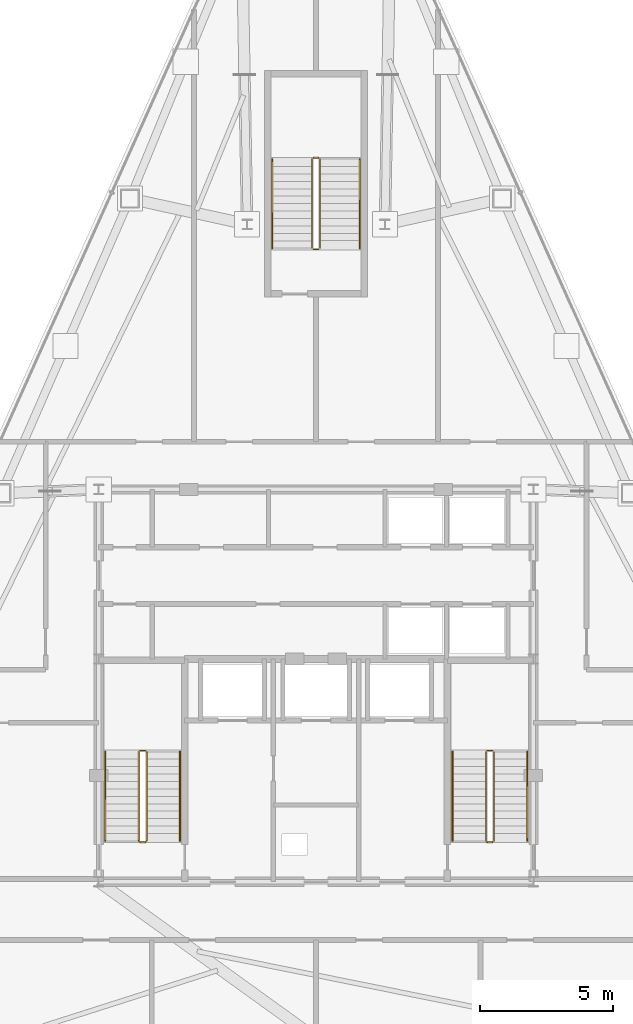
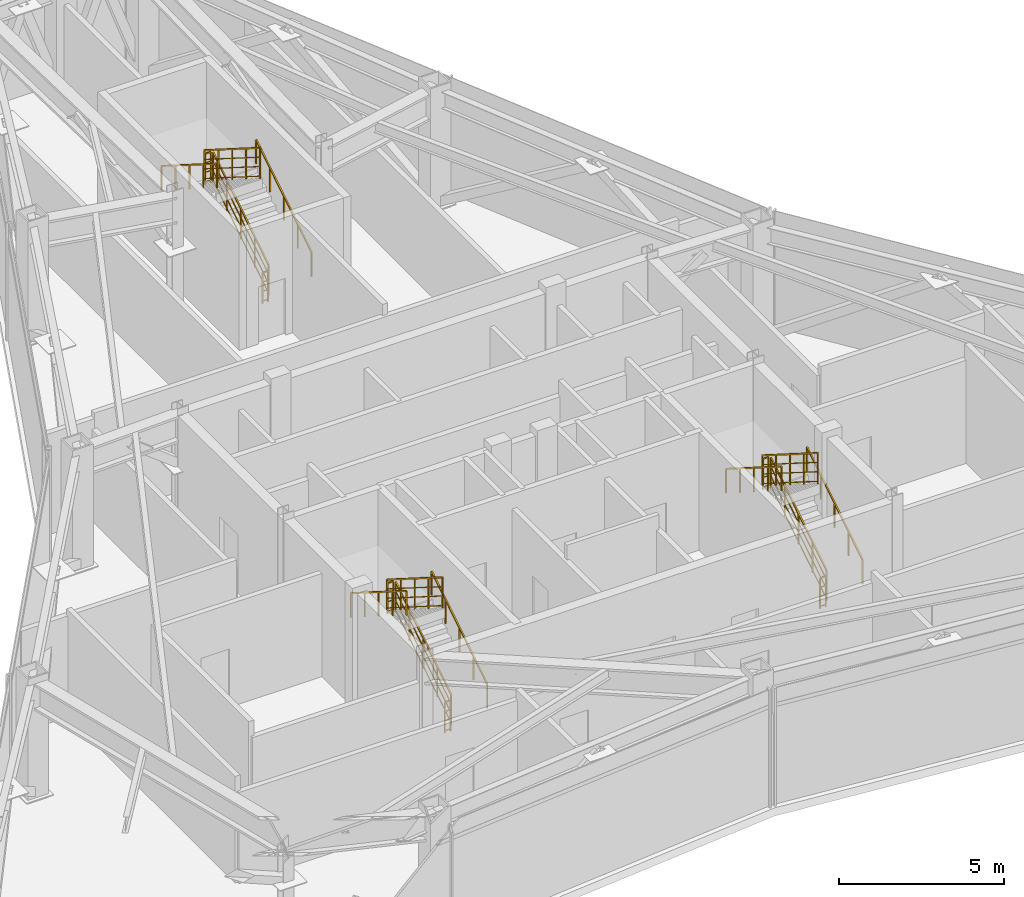
# One storey, part 12 of 12: 18 railings.
"""IFC4 building model written with IfcOpenShell, lengths in metres."""

from ifc_helpers import new_model, si_unit, direction, frame, origin, origin_2d, place, context, subcontext, project, spatial, rectangle, extrude, material, type_object, element, save


model = new_model("IFC4")

# Units and contexts
model_context = context("Model", 3, precision=1e-05, world=origin(), true_north=direction((0.0, 1.0)))
body_context = subcontext(model_context, "Body", "Model", "MODEL_VIEW")
ifc_project = project(units=[si_unit("LENGTHUNIT", "METRE"), si_unit("AREAUNIT", "SQUARE_METRE"), si_unit("VOLUMEUNIT", "CUBIC_METRE"), si_unit("PLANEANGLEUNIT", "RADIAN"), si_unit("MASSUNIT", "GRAM", prefix="KILO")], contexts=[model_context])

# Site, building, storey
site_placement = place(None, origin())
site = spatial("IfcSite", under=ifc_project, at=site_placement, CompositionType="ELEMENT")
building_placement = place(site_placement, origin())
building = spatial("IfcBuilding", under=site, at=building_placement, Name="Varakhsha Concourse Tower", CompositionType="ELEMENT")
storey_placement = place(building_placement, frame((0.0, 0.0, 250.39990234375)))
storey = spatial("IfcBuildingStorey", under=building, at=storey_placement, Name="L71", CompositionType="ELEMENT", Elevation=250.39990234375)

# Railings
ifc_material = material(Name="Brushed Austenitic Stainless Steel AISI 316", Category="steel")
railing_type_1 = type_object("IfcRailingType", Name="RL-STAIR-GUARD-1100", PredefinedType="GUARDRAIL", material=ifc_material)
railing_1_placement = place(storey_placement, frame((33.610107421875, 17.93994140625, 0.177001953125)))
element("IfcRailing", 1, at=railing_1_placement, inside=storey, type_object=railing_type_1, Name="L71 ST1 stair guard 1", PredefinedType="GUARDRAIL", context=body_context, shape_type="SweptSolid", body=[
    extrude(rectangle(XDim=0.048095703125, YDim=0.048095703125, at=origin_2d()), frame((0.0, 0.0, 1.1259765625), z_axis=(0.0, 0.845389635667, 0.534150132366), x_axis=(-1.0, 0.0, 0.0)), (0.0, 0.0, 1.0), 3.974609375),
    extrude(rectangle(XDim=0.028076171875, YDim=0.028076171875, at=origin_2d()), frame((0.0, 0.0, 0.080078125), z_axis=(0.0, 0.845389635667, 0.534150132366), x_axis=(-1.0, 0.0, 0.0)), (0.0, 0.0, 1.0), 3.974609375),
    extrude(rectangle(XDim=0.028076171875, YDim=0.028076171875, at=origin_2d()), frame((0.0, 0.0, 0.43701171875), z_axis=(0.0, 0.845389635667, 0.534150132366), x_axis=(-1.0, 0.0, 0.0)), (0.0, 0.0, 1.0), 3.974609375),
    extrude(rectangle(XDim=0.028076171875, YDim=0.028076171875, at=origin_2d()), frame((0.0, 0.0, 0.781982421875), z_axis=(0.0, 0.845389635667, 0.534150132366), x_axis=(-1.0, 0.0, 0.0)), (0.0, 0.0, 1.0), 3.974609375),
    extrude(rectangle(XDim=0.0419921875, YDim=0.0419921875, at=origin_2d()), origin(), (0.0, 0.0, 1.0), 1.101806640625),
    extrude(rectangle(XDim=0.0419921875, YDim=0.0419921875, at=origin_2d()), frame((0.0, 0.840087890625, 0.53076171875)), (0.0, 0.0, 1.0), 1.101806640625),
    extrude(rectangle(XDim=0.0419921875, YDim=0.0419921875, at=origin_2d()), frame((0.0, 1.68017578125, 1.0615234375)), (0.0, 0.0, 1.0), 1.101806640625),
    extrude(rectangle(XDim=0.0419921875, YDim=0.0419921875, at=origin_2d()), frame((0.0, 2.52001953125, 1.59228515625)), (0.0, 0.0, 1.0), 1.101806640625),
    extrude(rectangle(XDim=0.0419921875, YDim=0.0419921875, at=origin_2d()), frame((0.0, 3.360107421875, 2.123046875)), (0.0, 0.0, 1.0), 1.101806640625),
])
railing_2_placement = place(storey_placement, frame((33.56005859375, 21.35009765625, 2.300048828125)))
element("IfcRailing", 2, at=railing_2_placement, inside=storey, type_object=railing_type_1, Name="L71 ST1 stair guard 2", PredefinedType="GUARDRAIL", context=body_context, shape_type="SweptSolid", body=[
    extrude(rectangle(XDim=0.048095703125, YDim=0.048095703125, at=origin_2d()), frame((0.0, 0.0, 1.1259765625), z_axis=(-1.0, 0.0, 0.0), x_axis=(0.0, -1.0, 0.0)), (0.0, 0.0, 1.0), 0.199951171875),
    extrude(rectangle(XDim=0.028076171875, YDim=0.028076171875, at=origin_2d()), frame((0.0, 0.0, 0.080078125), z_axis=(-1.0, 0.0, 0.0), x_axis=(0.0, -1.0, 0.0)), (0.0, 0.0, 1.0), 0.199951171875),
    extrude(rectangle(XDim=0.028076171875, YDim=0.028076171875, at=origin_2d()), frame((0.0, 0.0, 0.43701171875), z_axis=(-1.0, 0.0, 0.0), x_axis=(0.0, -1.0, 0.0)), (0.0, 0.0, 1.0), 0.199951171875),
    extrude(rectangle(XDim=0.028076171875, YDim=0.028076171875, at=origin_2d()), frame((0.0, 0.0, 0.781982421875), z_axis=(-1.0, 0.0, 0.0), x_axis=(0.0, -1.0, 0.0)), (0.0, 0.0, 1.0), 0.199951171875),
    extrude(rectangle(XDim=0.0419921875, YDim=0.0419921875, at=origin_2d()), origin(), (0.0, 0.0, 1.0), 1.101806640625),
    extrude(rectangle(XDim=0.0419921875, YDim=0.0419921875, at=origin_2d()), frame((-0.199951171875, 0.0, 0.0)), (0.0, 0.0, 1.0), 1.101806640625),
])
railing_3_placement = place(storey_placement, frame((33.31005859375, 21.300048828125, 2.47705078125)))
element("IfcRailing", 3, at=railing_3_placement, inside=storey, type_object=railing_type_1, Name="L71 ST1 stair guard 3", PredefinedType="GUARDRAIL", context=body_context, shape_type="SweptSolid", body=[
    extrude(rectangle(XDim=0.048095703125, YDim=0.048095703125, at=origin_2d()), frame((0.0, 0.0, 1.1259765625), z_axis=(0.0, -0.845389635667, 0.534150132366), x_axis=(1.0, 0.0, 0.0)), (0.0, 0.0, 1.0), 3.974609375),
    extrude(rectangle(XDim=0.028076171875, YDim=0.028076171875, at=origin_2d()), frame((0.0, 0.0, 0.080078125), z_axis=(0.0, -0.845389635667, 0.534150132366), x_axis=(1.0, 0.0, 0.0)), (0.0, 0.0, 1.0), 3.974609375),
    extrude(rectangle(XDim=0.028076171875, YDim=0.028076171875, at=origin_2d()), frame((0.0, 0.0, 0.43701171875), z_axis=(0.0, -0.845389635667, 0.534150132366), x_axis=(1.0, 0.0, 0.0)), (0.0, 0.0, 1.0), 3.974609375),
    extrude(rectangle(XDim=0.028076171875, YDim=0.028076171875, at=origin_2d()), frame((0.0, 0.0, 0.781982421875), z_axis=(0.0, -0.845389635667, 0.534150132366), x_axis=(1.0, 0.0, 0.0)), (0.0, 0.0, 1.0), 3.974609375),
    extrude(rectangle(XDim=0.0419921875, YDim=0.0419921875, at=origin_2d()), origin(), (0.0, 0.0, 1.0), 1.101806640625),
    extrude(rectangle(XDim=0.0419921875, YDim=0.0419921875, at=origin_2d()), frame((0.0, -0.840087890625, 0.53076171875)), (0.0, 0.0, 1.0), 1.101806640625),
    extrude(rectangle(XDim=0.0419921875, YDim=0.0419921875, at=origin_2d()), frame((0.0, -1.68017578125, 1.0615234375)), (0.0, 0.0, 1.0), 1.101806640625),
    extrude(rectangle(XDim=0.0419921875, YDim=0.0419921875, at=origin_2d()), frame((0.0, -2.52001953125, 1.59228515625)), (0.0, 0.0, 1.0), 1.101806640625),
    extrude(rectangle(XDim=0.0419921875, YDim=0.0419921875, at=origin_2d()), frame((0.0, -3.360107421875, 2.123046875)), (0.0, 0.0, 1.0), 1.101806640625),
])
railing_4_placement = place(storey_placement, frame((33.56005859375, 17.889892578125, 0.0)))
element("IfcRailing", 4, at=railing_4_placement, inside=storey, type_object=railing_type_1, Name="L71 ST1 stair guard 4", PredefinedType="GUARDRAIL", context=body_context, shape_type="SweptSolid", body=[
    extrude(rectangle(XDim=0.048095703125, YDim=0.048095703125, at=origin_2d()), frame((0.0, 0.0, 1.1259765625), z_axis=(-1.0, 0.0, 0.0), x_axis=(0.0, -1.0, 0.0)), (0.0, 0.0, 1.0), 0.199951171875),
    extrude(rectangle(XDim=0.028076171875, YDim=0.028076171875, at=origin_2d()), frame((0.0, 0.0, 0.080078125), z_axis=(-1.0, 0.0, 0.0), x_axis=(0.0, -1.0, 0.0)), (0.0, 0.0, 1.0), 0.199951171875),
    extrude(rectangle(XDim=0.028076171875, YDim=0.028076171875, at=origin_2d()), frame((0.0, 0.0, 0.43701171875), z_axis=(-1.0, 0.0, 0.0), x_axis=(0.0, -1.0, 0.0)), (0.0, 0.0, 1.0), 0.199951171875),
    extrude(rectangle(XDim=0.028076171875, YDim=0.028076171875, at=origin_2d()), frame((0.0, 0.0, 0.781982421875), z_axis=(-1.0, 0.0, 0.0), x_axis=(0.0, -1.0, 0.0)), (0.0, 0.0, 1.0), 0.199951171875),
    extrude(rectangle(XDim=0.0419921875, YDim=0.0419921875, at=origin_2d()), origin(), (0.0, 0.0, 1.0), 1.101806640625),
    extrude(rectangle(XDim=0.0419921875, YDim=0.0419921875, at=origin_2d()), frame((-0.199951171875, 0.0, 0.0)), (0.0, 0.0, 1.0), 1.101806640625),
])
railing_5_placement = place(storey_placement, frame((46.7099609375, 17.93994140625, 0.177001953125)))
element("IfcRailing", 5, at=railing_5_placement, inside=storey, type_object=railing_type_1, Name="L71 ST2 stair guard 1", PredefinedType="GUARDRAIL", context=body_context, shape_type="SweptSolid", body=[
    extrude(rectangle(XDim=0.048095703125, YDim=0.048095703125, at=origin_2d()), frame((0.0, 0.0, 1.1259765625), z_axis=(0.0, 0.845389635667, 0.534150132366), x_axis=(-1.0, 0.0, 0.0)), (0.0, 0.0, 1.0), 3.974609375),
    extrude(rectangle(XDim=0.028076171875, YDim=0.028076171875, at=origin_2d()), frame((0.0, 0.0, 0.080078125), z_axis=(0.0, 0.845389635667, 0.534150132366), x_axis=(-1.0, 0.0, 0.0)), (0.0, 0.0, 1.0), 3.974609375),
    extrude(rectangle(XDim=0.028076171875, YDim=0.028076171875, at=origin_2d()), frame((0.0, 0.0, 0.43701171875), z_axis=(0.0, 0.845389635667, 0.534150132366), x_axis=(-1.0, 0.0, 0.0)), (0.0, 0.0, 1.0), 3.974609375),
    extrude(rectangle(XDim=0.028076171875, YDim=0.028076171875, at=origin_2d()), frame((0.0, 0.0, 0.781982421875), z_axis=(0.0, 0.845389635667, 0.534150132366), x_axis=(-1.0, 0.0, 0.0)), (0.0, 0.0, 1.0), 3.974609375),
    extrude(rectangle(XDim=0.0419921875, YDim=0.0419921875, at=origin_2d()), origin(), (0.0, 0.0, 1.0), 1.101806640625),
    extrude(rectangle(XDim=0.0419921875, YDim=0.0419921875, at=origin_2d()), frame((0.0, 0.840087890625, 0.53076171875)), (0.0, 0.0, 1.0), 1.101806640625),
    extrude(rectangle(XDim=0.0419921875, YDim=0.0419921875, at=origin_2d()), frame((0.0, 1.68017578125, 1.0615234375)), (0.0, 0.0, 1.0), 1.101806640625),
    extrude(rectangle(XDim=0.0419921875, YDim=0.0419921875, at=origin_2d()), frame((0.0, 2.52001953125, 1.59228515625)), (0.0, 0.0, 1.0), 1.101806640625),
    extrude(rectangle(XDim=0.0419921875, YDim=0.0419921875, at=origin_2d()), frame((0.0, 3.360107421875, 2.123046875)), (0.0, 0.0, 1.0), 1.101806640625),
])
railing_6_placement = place(storey_placement, frame((46.659912109375, 21.35009765625, 2.300048828125)))
element("IfcRailing", 6, at=railing_6_placement, inside=storey, type_object=railing_type_1, Name="L71 ST2 stair guard 2", PredefinedType="GUARDRAIL", context=body_context, shape_type="SweptSolid", body=[
    extrude(rectangle(XDim=0.048095703125, YDim=0.048095703125, at=origin_2d()), frame((0.0, 0.0, 1.1259765625), z_axis=(-1.0, 0.0, 0.0), x_axis=(0.0, -1.0, 0.0)), (0.0, 0.0, 1.0), 0.199951171875),
    extrude(rectangle(XDim=0.028076171875, YDim=0.028076171875, at=origin_2d()), frame((0.0, 0.0, 0.080078125), z_axis=(-1.0, 0.0, 0.0), x_axis=(0.0, -1.0, 0.0)), (0.0, 0.0, 1.0), 0.199951171875),
    extrude(rectangle(XDim=0.028076171875, YDim=0.028076171875, at=origin_2d()), frame((0.0, 0.0, 0.43701171875), z_axis=(-1.0, 0.0, 0.0), x_axis=(0.0, -1.0, 0.0)), (0.0, 0.0, 1.0), 0.199951171875),
    extrude(rectangle(XDim=0.028076171875, YDim=0.028076171875, at=origin_2d()), frame((0.0, 0.0, 0.781982421875), z_axis=(-1.0, 0.0, 0.0), x_axis=(0.0, -1.0, 0.0)), (0.0, 0.0, 1.0), 0.199951171875),
    extrude(rectangle(XDim=0.0419921875, YDim=0.0419921875, at=origin_2d()), origin(), (0.0, 0.0, 1.0), 1.101806640625),
    extrude(rectangle(XDim=0.0419921875, YDim=0.0419921875, at=origin_2d()), frame((-0.199951171875, 0.0, 0.0)), (0.0, 0.0, 1.0), 1.101806640625),
])
railing_7_placement = place(storey_placement, frame((46.409912109375, 21.300048828125, 2.47705078125)))
element("IfcRailing", 7, at=railing_7_placement, inside=storey, type_object=railing_type_1, Name="L71 ST2 stair guard 3", PredefinedType="GUARDRAIL", context=body_context, shape_type="SweptSolid", body=[
    extrude(rectangle(XDim=0.048095703125, YDim=0.048095703125, at=origin_2d()), frame((0.0, 0.0, 1.1259765625), z_axis=(0.0, -0.845389635667, 0.534150132366), x_axis=(1.0, 0.0, 0.0)), (0.0, 0.0, 1.0), 3.974609375),
    extrude(rectangle(XDim=0.028076171875, YDim=0.028076171875, at=origin_2d()), frame((0.0, 0.0, 0.080078125), z_axis=(0.0, -0.845389635667, 0.534150132366), x_axis=(1.0, 0.0, 0.0)), (0.0, 0.0, 1.0), 3.974609375),
    extrude(rectangle(XDim=0.028076171875, YDim=0.028076171875, at=origin_2d()), frame((0.0, 0.0, 0.43701171875), z_axis=(0.0, -0.845389635667, 0.534150132366), x_axis=(1.0, 0.0, 0.0)), (0.0, 0.0, 1.0), 3.974609375),
    extrude(rectangle(XDim=0.028076171875, YDim=0.028076171875, at=origin_2d()), frame((0.0, 0.0, 0.781982421875), z_axis=(0.0, -0.845389635667, 0.534150132366), x_axis=(1.0, 0.0, 0.0)), (0.0, 0.0, 1.0), 3.974609375),
    extrude(rectangle(XDim=0.0419921875, YDim=0.0419921875, at=origin_2d()), origin(), (0.0, 0.0, 1.0), 1.101806640625),
    extrude(rectangle(XDim=0.0419921875, YDim=0.0419921875, at=origin_2d()), frame((0.0, -0.840087890625, 0.53076171875)), (0.0, 0.0, 1.0), 1.101806640625),
    extrude(rectangle(XDim=0.0419921875, YDim=0.0419921875, at=origin_2d()), frame((0.0, -1.68017578125, 1.0615234375)), (0.0, 0.0, 1.0), 1.101806640625),
    extrude(rectangle(XDim=0.0419921875, YDim=0.0419921875, at=origin_2d()), frame((0.0, -2.52001953125, 1.59228515625)), (0.0, 0.0, 1.0), 1.101806640625),
    extrude(rectangle(XDim=0.0419921875, YDim=0.0419921875, at=origin_2d()), frame((0.0, -3.360107421875, 2.123046875)), (0.0, 0.0, 1.0), 1.101806640625),
])
railing_8_placement = place(storey_placement, frame((46.659912109375, 17.889892578125, 0.0)))
element("IfcRailing", 8, at=railing_8_placement, inside=storey, type_object=railing_type_1, Name="L71 ST2 stair guard 4", PredefinedType="GUARDRAIL", context=body_context, shape_type="SweptSolid", body=[
    extrude(rectangle(XDim=0.048095703125, YDim=0.048095703125, at=origin_2d()), frame((0.0, 0.0, 1.1259765625), z_axis=(-1.0, 0.0, 0.0), x_axis=(0.0, -1.0, 0.0)), (0.0, 0.0, 1.0), 0.199951171875),
    extrude(rectangle(XDim=0.028076171875, YDim=0.028076171875, at=origin_2d()), frame((0.0, 0.0, 0.080078125), z_axis=(-1.0, 0.0, 0.0), x_axis=(0.0, -1.0, 0.0)), (0.0, 0.0, 1.0), 0.199951171875),
    extrude(rectangle(XDim=0.028076171875, YDim=0.028076171875, at=origin_2d()), frame((0.0, 0.0, 0.43701171875), z_axis=(-1.0, 0.0, 0.0), x_axis=(0.0, -1.0, 0.0)), (0.0, 0.0, 1.0), 0.199951171875),
    extrude(rectangle(XDim=0.028076171875, YDim=0.028076171875, at=origin_2d()), frame((0.0, 0.0, 0.781982421875), z_axis=(-1.0, 0.0, 0.0), x_axis=(0.0, -1.0, 0.0)), (0.0, 0.0, 1.0), 0.199951171875),
    extrude(rectangle(XDim=0.0419921875, YDim=0.0419921875, at=origin_2d()), origin(), (0.0, 0.0, 1.0), 1.101806640625),
    extrude(rectangle(XDim=0.0419921875, YDim=0.0419921875, at=origin_2d()), frame((-0.199951171875, 0.0, 0.0)), (0.0, 0.0, 1.0), 1.101806640625),
])
railing_9_placement = place(storey_placement, frame((40.14990234375, 40.300048828125, 0.177001953125)))
element("IfcRailing", 9, at=railing_9_placement, inside=storey, type_object=railing_type_1, Name="L71 ST5 stair guard 1", PredefinedType="GUARDRAIL", context=body_context, shape_type="SweptSolid", body=[
    extrude(rectangle(XDim=0.048095703125, YDim=0.048095703125, at=origin_2d()), frame((0.0, 0.0, 1.1259765625), z_axis=(0.0, 0.845372108799, 0.534177870812), x_axis=(-1.0, 0.0, 0.0)), (0.0, 0.0, 1.0), 3.974365234375),
    extrude(rectangle(XDim=0.028076171875, YDim=0.028076171875, at=origin_2d()), frame((0.0, 0.0, 0.080078125), z_axis=(0.0, 0.845372108799, 0.534177870812), x_axis=(-1.0, 0.0, 0.0)), (0.0, 0.0, 1.0), 3.974365234375),
    extrude(rectangle(XDim=0.028076171875, YDim=0.028076171875, at=origin_2d()), frame((0.0, 0.0, 0.43701171875), z_axis=(0.0, 0.845372108799, 0.534177870812), x_axis=(-1.0, 0.0, 0.0)), (0.0, 0.0, 1.0), 3.974365234375),
    extrude(rectangle(XDim=0.028076171875, YDim=0.028076171875, at=origin_2d()), frame((0.0, 0.0, 0.781982421875), z_axis=(0.0, 0.845372108799, 0.534177870812), x_axis=(-1.0, 0.0, 0.0)), (0.0, 0.0, 1.0), 3.974365234375),
    extrude(rectangle(XDim=0.0419921875, YDim=0.0419921875, at=origin_2d()), origin(), (0.0, 0.0, 1.0), 1.101806640625),
    extrude(rectangle(XDim=0.0419921875, YDim=0.0419921875, at=origin_2d()), frame((0.0, 0.83984375, 0.53076171875)), (0.0, 0.0, 1.0), 1.101806640625),
    extrude(rectangle(XDim=0.0419921875, YDim=0.0419921875, at=origin_2d()), frame((0.0, 1.679931640625, 1.0615234375)), (0.0, 0.0, 1.0), 1.101806640625),
    extrude(rectangle(XDim=0.0419921875, YDim=0.0419921875, at=origin_2d()), frame((0.0, 2.52001953125, 1.59228515625)), (0.0, 0.0, 1.0), 1.101806640625),
    extrude(rectangle(XDim=0.0419921875, YDim=0.0419921875, at=origin_2d()), frame((0.0, 3.35986328125, 2.123046875)), (0.0, 0.0, 1.0), 1.101806640625),
])
railing_10_placement = place(storey_placement, frame((40.10009765625, 43.7099609375, 2.300048828125)))
element("IfcRailing", 10, at=railing_10_placement, inside=storey, type_object=railing_type_1, Name="L71 ST5 stair guard 2", PredefinedType="GUARDRAIL", context=body_context, shape_type="SweptSolid", body=[
    extrude(rectangle(XDim=0.048095703125, YDim=0.048095703125, at=origin_2d()), frame((0.0, 0.0, 1.1259765625), z_axis=(-1.0, 0.0, 0.0), x_axis=(0.0, -1.0, 0.0)), (0.0, 0.0, 1.0), 0.2001953125),
    extrude(rectangle(XDim=0.028076171875, YDim=0.028076171875, at=origin_2d()), frame((0.0, 0.0, 0.080078125), z_axis=(-1.0, 0.0, 0.0), x_axis=(0.0, -1.0, 0.0)), (0.0, 0.0, 1.0), 0.2001953125),
    extrude(rectangle(XDim=0.028076171875, YDim=0.028076171875, at=origin_2d()), frame((0.0, 0.0, 0.43701171875), z_axis=(-1.0, 0.0, 0.0), x_axis=(0.0, -1.0, 0.0)), (0.0, 0.0, 1.0), 0.2001953125),
    extrude(rectangle(XDim=0.028076171875, YDim=0.028076171875, at=origin_2d()), frame((0.0, 0.0, 0.781982421875), z_axis=(-1.0, 0.0, 0.0), x_axis=(0.0, -1.0, 0.0)), (0.0, 0.0, 1.0), 0.2001953125),
    extrude(rectangle(XDim=0.0419921875, YDim=0.0419921875, at=origin_2d()), origin(), (0.0, 0.0, 1.0), 1.101806640625),
    extrude(rectangle(XDim=0.0419921875, YDim=0.0419921875, at=origin_2d()), frame((-0.2001953125, 0.0, 0.0)), (0.0, 0.0, 1.0), 1.101806640625),
])
railing_11_placement = place(storey_placement, frame((39.85009765625, 43.659912109375, 2.47705078125)))
element("IfcRailing", 11, at=railing_11_placement, inside=storey, type_object=railing_type_1, Name="L71 ST5 stair guard 3", PredefinedType="GUARDRAIL", context=body_context, shape_type="SweptSolid", body=[
    extrude(rectangle(XDim=0.048095703125, YDim=0.048095703125, at=origin_2d()), frame((0.0, 0.0, 1.1259765625), z_axis=(0.0, -0.845372108799, 0.534177870812), x_axis=(1.0, 0.0, 0.0)), (0.0, 0.0, 1.0), 3.974365234375),
    extrude(rectangle(XDim=0.028076171875, YDim=0.028076171875, at=origin_2d()), frame((0.0, 0.0, 0.080078125), z_axis=(0.0, -0.845372108799, 0.534177870812), x_axis=(1.0, 0.0, 0.0)), (0.0, 0.0, 1.0), 3.974365234375),
    extrude(rectangle(XDim=0.028076171875, YDim=0.028076171875, at=origin_2d()), frame((0.0, 0.0, 0.43701171875), z_axis=(0.0, -0.845372108799, 0.534177870812), x_axis=(1.0, 0.0, 0.0)), (0.0, 0.0, 1.0), 3.974365234375),
    extrude(rectangle(XDim=0.028076171875, YDim=0.028076171875, at=origin_2d()), frame((0.0, 0.0, 0.781982421875), z_axis=(0.0, -0.845372108799, 0.534177870812), x_axis=(1.0, 0.0, 0.0)), (0.0, 0.0, 1.0), 3.974365234375),
    extrude(rectangle(XDim=0.0419921875, YDim=0.0419921875, at=origin_2d()), origin(), (0.0, 0.0, 1.0), 1.101806640625),
    extrude(rectangle(XDim=0.0419921875, YDim=0.0419921875, at=origin_2d()), frame((0.0, -0.83984375, 0.53076171875)), (0.0, 0.0, 1.0), 1.101806640625),
    extrude(rectangle(XDim=0.0419921875, YDim=0.0419921875, at=origin_2d()), frame((0.0, -1.679931640625, 1.0615234375)), (0.0, 0.0, 1.0), 1.101806640625),
    extrude(rectangle(XDim=0.0419921875, YDim=0.0419921875, at=origin_2d()), frame((0.0, -2.52001953125, 1.59228515625)), (0.0, 0.0, 1.0), 1.101806640625),
    extrude(rectangle(XDim=0.0419921875, YDim=0.0419921875, at=origin_2d()), frame((0.0, -3.35986328125, 2.123046875)), (0.0, 0.0, 1.0), 1.101806640625),
])
railing_12_placement = place(storey_placement, frame((40.10009765625, 40.25, 0.0)))
element("IfcRailing", 12, at=railing_12_placement, inside=storey, type_object=railing_type_1, Name="L71 ST5 stair guard 4", PredefinedType="GUARDRAIL", context=body_context, shape_type="SweptSolid", body=[
    extrude(rectangle(XDim=0.048095703125, YDim=0.048095703125, at=origin_2d()), frame((0.0, 0.0, 1.1259765625), z_axis=(-1.0, 0.0, 0.0), x_axis=(0.0, -1.0, 0.0)), (0.0, 0.0, 1.0), 0.2001953125),
    extrude(rectangle(XDim=0.028076171875, YDim=0.028076171875, at=origin_2d()), frame((0.0, 0.0, 0.080078125), z_axis=(-1.0, 0.0, 0.0), x_axis=(0.0, -1.0, 0.0)), (0.0, 0.0, 1.0), 0.2001953125),
    extrude(rectangle(XDim=0.028076171875, YDim=0.028076171875, at=origin_2d()), frame((0.0, 0.0, 0.43701171875), z_axis=(-1.0, 0.0, 0.0), x_axis=(0.0, -1.0, 0.0)), (0.0, 0.0, 1.0), 0.2001953125),
    extrude(rectangle(XDim=0.028076171875, YDim=0.028076171875, at=origin_2d()), frame((0.0, 0.0, 0.781982421875), z_axis=(-1.0, 0.0, 0.0), x_axis=(0.0, -1.0, 0.0)), (0.0, 0.0, 1.0), 0.2001953125),
    extrude(rectangle(XDim=0.0419921875, YDim=0.0419921875, at=origin_2d()), origin(), (0.0, 0.0, 1.0), 1.101806640625),
    extrude(rectangle(XDim=0.0419921875, YDim=0.0419921875, at=origin_2d()), frame((-0.2001953125, 0.0, 0.0)), (0.0, 0.0, 1.0), 1.101806640625),
])
railing_type_2 = type_object("IfcRailingType", Name="RL-STAIR-RAIL-915", PredefinedType="HANDRAIL", material=ifc_material)
railing_13_placement = place(storey_placement, frame((34.8701171875, 17.93994140625, 0.35400390625)))
element("IfcRailing", 13, at=railing_13_placement, inside=storey, type_object=railing_type_2, Name="L71 ST1 stair handrail 1", PredefinedType="HANDRAIL", context=body_context, shape_type="SweptSolid", body=[
    extrude(rectangle(XDim=0.048095703125, YDim=0.048095703125, at=origin_2d()), frame((0.0, 0.0, 0.89111328125), z_axis=(0.0, 0.845389635667, 0.534150132366), x_axis=(-1.0, 0.0, 0.0)), (0.0, 0.0, 1.0), 3.974609375),
    extrude(rectangle(XDim=0.0419921875, YDim=0.0419921875, at=origin_2d()), origin(), (0.0, 0.0, 1.0), 0.866943359375),
    extrude(rectangle(XDim=0.0419921875, YDim=0.0419921875, at=origin_2d()), frame((0.0, 0.840087890625, 0.53076171875)), (0.0, 0.0, 1.0), 0.866943359375),
    extrude(rectangle(XDim=0.0419921875, YDim=0.0419921875, at=origin_2d()), frame((0.0, 1.68017578125, 1.0615234375)), (0.0, 0.0, 1.0), 0.866943359375),
    extrude(rectangle(XDim=0.0419921875, YDim=0.0419921875, at=origin_2d()), frame((0.0, 2.52001953125, 1.59228515625)), (0.0, 0.0, 1.0), 0.866943359375),
    extrude(rectangle(XDim=0.0419921875, YDim=0.0419921875, at=origin_2d()), frame((0.0, 3.360107421875, 2.123046875)), (0.0, 0.0, 1.0), 0.866943359375),
])
railing_14_placement = place(storey_placement, frame((32.050048828125, 21.300048828125, 2.654052734375)))
element("IfcRailing", 14, at=railing_14_placement, inside=storey, type_object=railing_type_2, Name="L71 ST1 stair handrail 2", PredefinedType="HANDRAIL", context=body_context, shape_type="SweptSolid", body=[
    extrude(rectangle(XDim=0.048095703125, YDim=0.048095703125, at=origin_2d()), frame((0.0, 0.0, 0.89111328125), z_axis=(0.0, -0.845389635667, 0.534150132366), x_axis=(1.0, 0.0, 0.0)), (0.0, 0.0, 1.0), 3.974609375),
    extrude(rectangle(XDim=0.0419921875, YDim=0.0419921875, at=origin_2d()), origin(), (0.0, 0.0, 1.0), 0.866943359375),
    extrude(rectangle(XDim=0.0419921875, YDim=0.0419921875, at=origin_2d()), frame((0.0, -0.840087890625, 0.53076171875)), (0.0, 0.0, 1.0), 0.866943359375),
    extrude(rectangle(XDim=0.0419921875, YDim=0.0419921875, at=origin_2d()), frame((0.0, -1.68017578125, 1.0615234375)), (0.0, 0.0, 1.0), 0.866943359375),
    extrude(rectangle(XDim=0.0419921875, YDim=0.0419921875, at=origin_2d()), frame((0.0, -2.52001953125, 1.59228515625)), (0.0, 0.0, 1.0), 0.866943359375),
    extrude(rectangle(XDim=0.0419921875, YDim=0.0419921875, at=origin_2d()), frame((0.0, -3.360107421875, 2.123046875)), (0.0, 0.0, 1.0), 0.866943359375),
])
railing_15_placement = place(storey_placement, frame((47.969970703125, 17.93994140625, 0.35400390625)))
element("IfcRailing", 15, at=railing_15_placement, inside=storey, type_object=railing_type_2, Name="L71 ST2 stair handrail 1", PredefinedType="HANDRAIL", context=body_context, shape_type="SweptSolid", body=[
    extrude(rectangle(XDim=0.048095703125, YDim=0.048095703125, at=origin_2d()), frame((0.0, 0.0, 0.89111328125), z_axis=(0.0, 0.845389635667, 0.534150132366), x_axis=(-1.0, 0.0, 0.0)), (0.0, 0.0, 1.0), 3.974609375),
    extrude(rectangle(XDim=0.0419921875, YDim=0.0419921875, at=origin_2d()), origin(), (0.0, 0.0, 1.0), 0.866943359375),
    extrude(rectangle(XDim=0.0419921875, YDim=0.0419921875, at=origin_2d()), frame((0.0, 0.840087890625, 0.53076171875)), (0.0, 0.0, 1.0), 0.866943359375),
    extrude(rectangle(XDim=0.0419921875, YDim=0.0419921875, at=origin_2d()), frame((0.0, 1.68017578125, 1.0615234375)), (0.0, 0.0, 1.0), 0.866943359375),
    extrude(rectangle(XDim=0.0419921875, YDim=0.0419921875, at=origin_2d()), frame((0.0, 2.52001953125, 1.59228515625)), (0.0, 0.0, 1.0), 0.866943359375),
    extrude(rectangle(XDim=0.0419921875, YDim=0.0419921875, at=origin_2d()), frame((0.0, 3.360107421875, 2.123046875)), (0.0, 0.0, 1.0), 0.866943359375),
])
railing_16_placement = place(storey_placement, frame((45.14990234375, 21.300048828125, 2.654052734375)))
element("IfcRailing", 16, at=railing_16_placement, inside=storey, type_object=railing_type_2, Name="L71 ST2 stair handrail 2", PredefinedType="HANDRAIL", context=body_context, shape_type="SweptSolid", body=[
    extrude(rectangle(XDim=0.048095703125, YDim=0.048095703125, at=origin_2d()), frame((0.0, 0.0, 0.89111328125), z_axis=(0.0, -0.845389635667, 0.534150132366), x_axis=(1.0, 0.0, 0.0)), (0.0, 0.0, 1.0), 3.974609375),
    extrude(rectangle(XDim=0.0419921875, YDim=0.0419921875, at=origin_2d()), origin(), (0.0, 0.0, 1.0), 0.866943359375),
    extrude(rectangle(XDim=0.0419921875, YDim=0.0419921875, at=origin_2d()), frame((0.0, -0.840087890625, 0.53076171875)), (0.0, 0.0, 1.0), 0.866943359375),
    extrude(rectangle(XDim=0.0419921875, YDim=0.0419921875, at=origin_2d()), frame((0.0, -1.68017578125, 1.0615234375)), (0.0, 0.0, 1.0), 0.866943359375),
    extrude(rectangle(XDim=0.0419921875, YDim=0.0419921875, at=origin_2d()), frame((0.0, -2.52001953125, 1.59228515625)), (0.0, 0.0, 1.0), 0.866943359375),
    extrude(rectangle(XDim=0.0419921875, YDim=0.0419921875, at=origin_2d()), frame((0.0, -3.360107421875, 2.123046875)), (0.0, 0.0, 1.0), 0.866943359375),
])
railing_17_placement = place(storey_placement, frame((41.64990234375, 40.300048828125, 0.35400390625)))
element("IfcRailing", 17, at=railing_17_placement, inside=storey, type_object=railing_type_2, Name="L71 ST5 stair handrail 1", PredefinedType="HANDRAIL", context=body_context, shape_type="SweptSolid", body=[
    extrude(rectangle(XDim=0.048095703125, YDim=0.048095703125, at=origin_2d()), frame((0.0, 0.0, 0.89111328125), z_axis=(0.0, 0.845372108799, 0.534177870812), x_axis=(-1.0, 0.0, 0.0)), (0.0, 0.0, 1.0), 3.974365234375),
    extrude(rectangle(XDim=0.0419921875, YDim=0.0419921875, at=origin_2d()), origin(), (0.0, 0.0, 1.0), 0.866943359375),
    extrude(rectangle(XDim=0.0419921875, YDim=0.0419921875, at=origin_2d()), frame((0.0, 0.83984375, 0.53076171875)), (0.0, 0.0, 1.0), 0.866943359375),
    extrude(rectangle(XDim=0.0419921875, YDim=0.0419921875, at=origin_2d()), frame((0.0, 1.679931640625, 1.0615234375)), (0.0, 0.0, 1.0), 0.866943359375),
    extrude(rectangle(XDim=0.0419921875, YDim=0.0419921875, at=origin_2d()), frame((0.0, 2.52001953125, 1.59228515625)), (0.0, 0.0, 1.0), 0.866943359375),
    extrude(rectangle(XDim=0.0419921875, YDim=0.0419921875, at=origin_2d()), frame((0.0, 3.35986328125, 2.123046875)), (0.0, 0.0, 1.0), 0.866943359375),
])
railing_18_placement = place(storey_placement, frame((38.35009765625, 43.659912109375, 2.654052734375)))
element("IfcRailing", 18, at=railing_18_placement, inside=storey, type_object=railing_type_2, Name="L71 ST5 stair handrail 2", PredefinedType="HANDRAIL", context=body_context, shape_type="SweptSolid", body=[
    extrude(rectangle(XDim=0.048095703125, YDim=0.048095703125, at=origin_2d()), frame((0.0, 0.0, 0.89111328125), z_axis=(0.0, -0.845372108799, 0.534177870812), x_axis=(1.0, 0.0, 0.0)), (0.0, 0.0, 1.0), 3.974365234375),
    extrude(rectangle(XDim=0.0419921875, YDim=0.0419921875, at=origin_2d()), origin(), (0.0, 0.0, 1.0), 0.866943359375),
    extrude(rectangle(XDim=0.0419921875, YDim=0.0419921875, at=origin_2d()), frame((0.0, -0.83984375, 0.53076171875)), (0.0, 0.0, 1.0), 0.866943359375),
    extrude(rectangle(XDim=0.0419921875, YDim=0.0419921875, at=origin_2d()), frame((0.0, -1.679931640625, 1.0615234375)), (0.0, 0.0, 1.0), 0.866943359375),
    extrude(rectangle(XDim=0.0419921875, YDim=0.0419921875, at=origin_2d()), frame((0.0, -2.52001953125, 1.59228515625)), (0.0, 0.0, 1.0), 0.866943359375),
    extrude(rectangle(XDim=0.0419921875, YDim=0.0419921875, at=origin_2d()), frame((0.0, -3.35986328125, 2.123046875)), (0.0, 0.0, 1.0), 0.866943359375),
])

save(model, "model.ifc")
